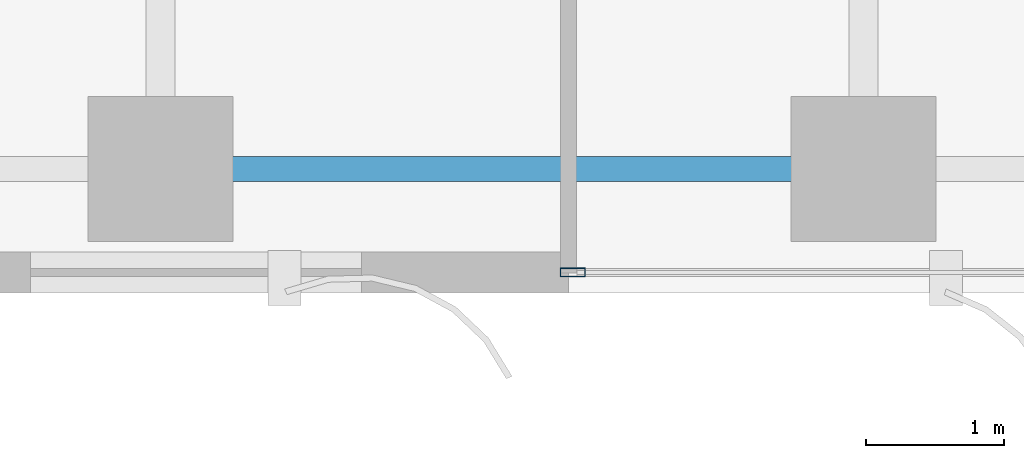
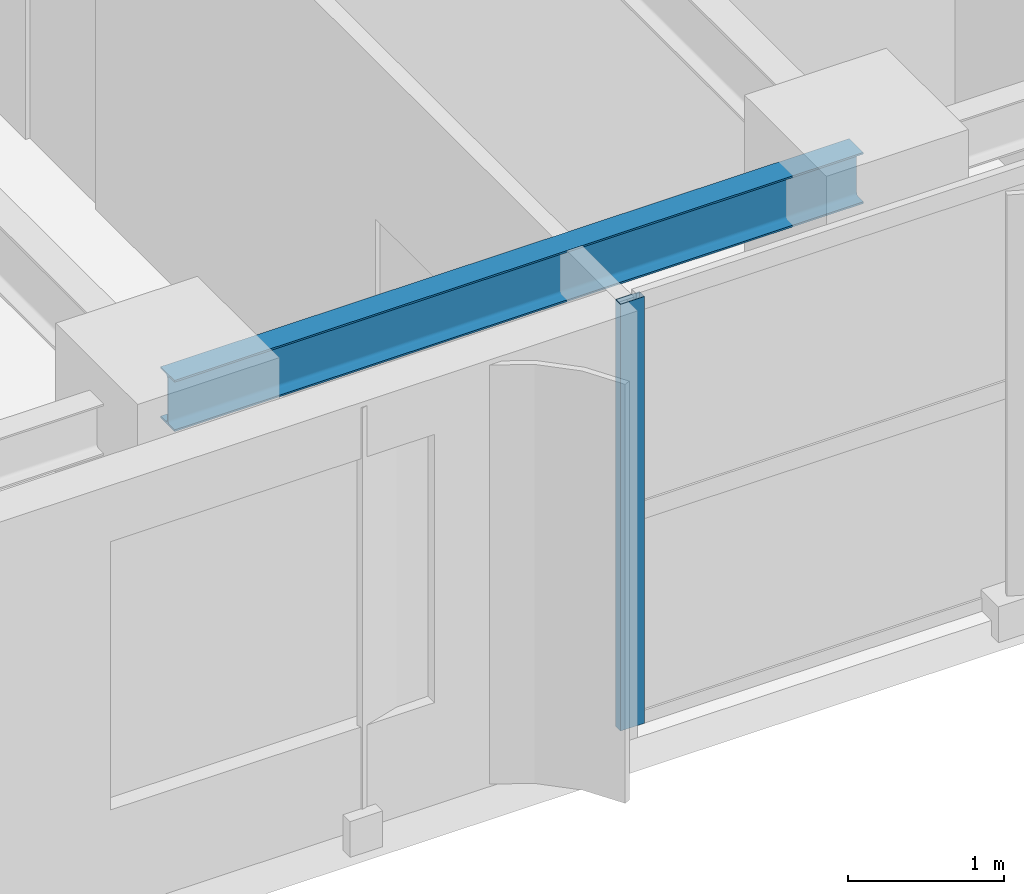
# One storey, part 2 of 26: 1 beam, 1 member, 1 element without a shape of its own.
"""IFC4 building model written with IfcOpenShell, lengths in metres."""

from ifc_helpers import new_model, si_unit, direction, frame, origin, origin_2d, place, context, subcontext, project, spatial, hollow_rectangle, i_section, extrude, source, transform, mapped, material, layer, layer_set, material_profile, profile_set, type_object, element, aggregate, save


model = new_model("IFC4")

# Units and contexts
model_context = context("Model", 3, precision=1e-05, world=origin(), true_north=direction((0.0, 1.0)))
body_context = subcontext(model_context, "Body", "Model", "MODEL_VIEW")
ifc_project = project(units=[si_unit("LENGTHUNIT", "METRE"), si_unit("AREAUNIT", "SQUARE_METRE"), si_unit("VOLUMEUNIT", "CUBIC_METRE"), si_unit("PLANEANGLEUNIT", "RADIAN"), si_unit("MASSUNIT", "GRAM", prefix="KILO")], contexts=[model_context])

# Site, building, storey
site_placement = place(None, origin())
site = spatial("IfcSite", under=ifc_project, at=site_placement, CompositionType="ELEMENT")
building_placement = place(site_placement, origin())
building = spatial("IfcBuilding", under=site, at=building_placement, Name="Khoralis Quay Care Tower", CompositionType="ELEMENT")
storey_placement = place(building_placement, frame((0.0, 0.0, 126.89990234375)))
storey = spatial("IfcBuildingStorey", under=building, at=storey_placement, Name="L33", CompositionType="ELEMENT", Elevation=126.89990234375)

# Beam
ifc_material_1 = material(Name="Steel S355", Category="steel")
ifc_material_profile_1 = material_profile(ifc_material_1, i_section(OverallWidth=0.179931640625, OverallDepth=0.39990234375, WebThickness=0.008544921875, FlangeThickness=0.013427734375, FilletRadius=0.02099609375, at=origin_2d()), Name="Steel S355")
ifc_profile_set_1 = profile_set([ifc_material_profile_1], Name="Steel S355")
beam_type = type_object("IfcBeamType", Name="BM-IPE400", PredefinedType="SPANDREL", material=ifc_profile_set_1)
shared_shape_1 = source(origin(), body_context, "Body", "SweptSolid", [
    extrude(i_section(OverallWidth=0.179931640625, OverallDepth=0.39990234375, WebThickness=0.008544921875, FlangeThickness=0.013427734375, FilletRadius=0.02099609375, at=origin_2d()), origin(), (0.0, 0.0, 1.0), 5.10009765625),
])
beam_placement = place(storey_placement, frame((12.0, 0.89990234375, 3.14013671875), z_axis=(1.0, 0.0, 0.0), x_axis=(0.0, 1.0, 0.0)))
element("IfcBeam", 1, at=beam_placement, inside=storey, type_object=beam_type, Name="BM-TSP-L33-02", PredefinedType="SPANDREL", context=body_context, shape_type="MappedRepresentation", body=[
    mapped(shared_shape_1, transform((0.0, 0.0, 0.0), scale=1.0)),
])

# Curtain wall, member
ifc_material_2 = material(Name="Pale anodised aluminium", Category="aluminium")
ifc_layer = layer(ifc_material_2, 0.169921875)
ifc_layer_set = layer_set([ifc_layer], Name="Pale anodised aluminium")
curtain_wall_type = type_object("IfcCurtainWallType", Name="CW-SYS-Z2", PredefinedType="NOTDEFINED", material=ifc_layer_set)
curtain_wall_placement = place(storey_placement, origin())
curtain_wall = element("IfcCurtainWall", 2, at=curtain_wall_placement, inside=storey, type_object=curtain_wall_type, Name="L33 Unitised Curtain Wall CW-L33-P1-E0", PredefinedType="NOTDEFINED")
ifc_material_profile_2 = material_profile(ifc_material_2, hollow_rectangle(XDim=0.06494140625, YDim=0.179931640625, WallThickness=0.00390625, at=origin_2d()), Name="Pale anodised aluminium")
ifc_profile_set_2 = profile_set([ifc_material_profile_2], Name="Pale anodised aluminium")
member_type = type_object("IfcMemberType", Name="CW-MUL-180", PredefinedType="MULLION", material=ifc_profile_set_2)
shared_shape_2 = source(origin(), body_context, "Body", "SweptSolid", [
    extrude(hollow_rectangle(XDim=0.06494140625, YDim=0.179931640625, WallThickness=0.00390625, at=origin_2d()), origin(), (0.0, 0.0, 1.0), 3.340087890625),
])
member_placement = place(storey_placement, frame((14.990966796875, 0.14990234375, 0.0), z_axis=(0.0, 0.0, 1.0), x_axis=(0.0, 1.0, 0.0)))
member = element("IfcMember", 3, at=member_placement, type_object=member_type, Name="CW2 mullion 1", PredefinedType="MULLION", context=body_context, shape_type="MappedRepresentation", body=[
    mapped(shared_shape_2, transform((0.0, 0.0, 0.0), scale=1.0)),
])
aggregate(curtain_wall, [member])

save(model, "model.ifc")
